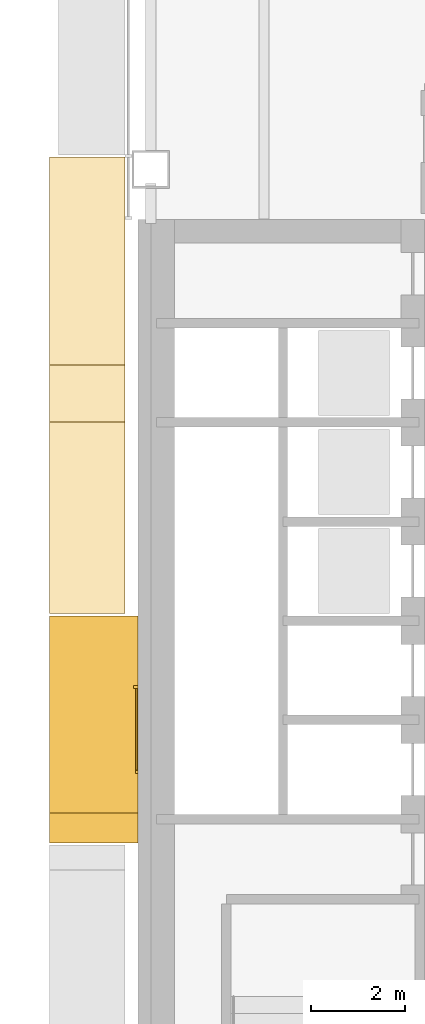
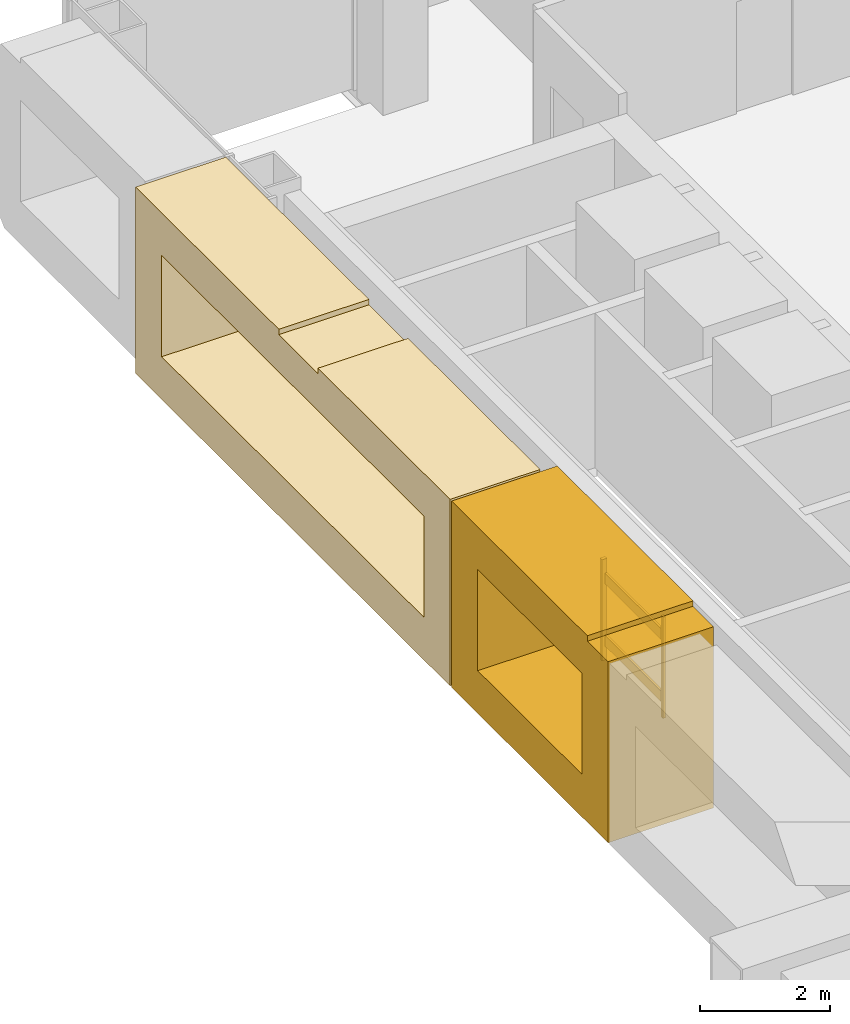
# One storey, part 17 of 21: 6 coverings.
"""IFC4 building model written with IfcOpenShell, lengths in metres."""

from ifc_helpers import new_model, si_unit, direction, frame, origin, origin_2d, place, context, subcontext, project, spatial, polyline, rectangle, outline, extrude, material, type_object, element, save


model = new_model("IFC4")

# Units and contexts
model_context = context("Model", 3, precision=1e-05, world=origin(), true_north=direction((0.0, 1.0)))
body_context = subcontext(model_context, "Body", "Model", "MODEL_VIEW")
ifc_project = project(units=[si_unit("LENGTHUNIT", "METRE"), si_unit("AREAUNIT", "SQUARE_METRE"), si_unit("VOLUMEUNIT", "CUBIC_METRE"), si_unit("PLANEANGLEUNIT", "RADIAN"), si_unit("MASSUNIT", "GRAM", prefix="KILO")], contexts=[model_context])

# Site, building, storey
site_placement = place(None, origin())
site = spatial("IfcSite", under=ifc_project, at=site_placement, CompositionType="ELEMENT")
building_placement = place(site_placement, origin())
building = spatial("IfcBuilding", under=site, at=building_placement, Name="Cobrizo Arcos Hotel Tower", CompositionType="ELEMENT")
storey_placement = place(building_placement, frame((0.0, 0.0, 183.0)))
storey = spatial("IfcBuildingStorey", under=building, at=storey_placement, Name="L47", CompositionType="ELEMENT", Elevation=183.0)

# Coverings
ifc_material_1 = material(Name="Aluminium 6063-T6 anodised bronze", Category="aluminium")
covering_type_1 = type_object("IfcCoveringType", Name="FIN-F 1600", PredefinedType="CLADDING", material=ifc_material_1)
covering_1_placement = place(storey_placement, frame((-22.14990234375, 12.117919921875, 0.0), z_axis=(-1.0, 0.0, 0.0), x_axis=(0.0, -1.0, 0.0)))
element("IfcCovering", 1, at=covering_1_placement, inside=storey, type_object=covering_type_1, Name="Fin frame 287", PredefinedType="CLADDING", context=body_context, shape_type="SweptSolid", body=[
    extrude(outline(polyline([(9.664306640625, 3.5), (5.605712890625, 3.5), (5.605712890625, 3.39794921875), (4.401611328125, 3.39794921875), (4.401611328125, 3.5), (0.0, 3.5), (0.0, 0.0), (9.664306640625, 0.0), (9.664306640625, 3.5)]), holes=[polyline([(8.8642578125, 0.800048828125), (0.800048828125, 0.800048828125), (0.800048828125, 2.699951171875), (8.8642578125, 2.699951171875), (8.8642578125, 0.800048828125)])]), origin(), (0.0, 0.0, 1.0), 1.60009765625),
])
covering_type_2 = type_object("IfcCoveringType", Name="FIN-F 1875", PredefinedType="CLADDING", material=ifc_material_1)
covering_2_placement = place(storey_placement, frame((-21.875, 2.403564453125, 0.0), z_axis=(-1.0, 0.0, 0.0), x_axis=(0.0, -1.0, 0.0)))
element("IfcCovering", 2, at=covering_2_placement, inside=storey, type_object=covering_type_2, Name="Fin frame 288", PredefinedType="CLADDING", context=body_context, shape_type="SweptSolid", body=[
    extrude(outline(polyline([(4.80712890625, 0.0), (4.80712890625, 3.39794921875), (4.173095703125, 3.39794921875), (4.173095703125, 3.5), (0.0, 3.5), (0.0, 0.0), (4.80712890625, 0.0)]), holes=[polyline([(4.007080078125, 0.800048828125), (0.800048828125, 0.800048828125), (0.800048828125, 2.699951171875), (4.007080078125, 2.699951171875), (4.007080078125, 0.800048828125)])]), origin(), (0.0, 0.0, 1.0), 1.875),
])
ifc_material_2 = material(Name="Aluminium 6063-T6 anodised pale", Category="aluminium")
covering_type_3 = type_object("IfcCoveringType", Name="RS-1 rainscreen rib 60x90", PredefinedType="CLADDING", material=ifc_material_2)
covering_3_placement = place(storey_placement, frame((-21.919921875, 0.89990234375, 0.800048828125), z_axis=(0.0, 0.0, 1.0), x_axis=(0.0, -1.0, 0.0)))
element("IfcCovering", 3, at=covering_3_placement, inside=storey, type_object=covering_type_3, Name="Rainscreen rib 191", PredefinedType="CLADDING", context=body_context, shape_type="SweptSolid", body=[
    extrude(rectangle(XDim=0.06005859375, YDim=0.090087890625, at=origin_2d()), origin(), (0.0, 0.0, 1.0), 1.89990234375),
])
covering_type_4 = type_object("IfcCoveringType", Name="RS-2 rainscreen rib 60x50", PredefinedType="CLADDING", material=ifc_material_2)
covering_4_placement = place(storey_placement, frame((-21.89990234375, -0.89990234375, 0.800048828125), z_axis=(0.0, 0.0, 1.0), x_axis=(0.0, -1.0, 0.0)))
element("IfcCovering", 4, at=covering_4_placement, inside=storey, type_object=covering_type_4, Name="Rainscreen rib 192", PredefinedType="CLADDING", context=body_context, shape_type="SweptSolid", body=[
    extrude(rectangle(XDim=0.06005859375, YDim=0.050048828125, at=origin_2d()), origin(), (0.0, 0.0, 1.0), 1.89990234375),
])
covering_type_5 = type_object("IfcCoveringType", Name="RS-3 rainscreen louvre slat 200x40", PredefinedType="CLADDING", material=ifc_material_2)
for number, where, z_axis, x_axis, name in (
    (5, (-21.89501953125, 0.0, 1.06689453125), (0.0, 0.0, 1.0), (0.0, -1.0, 0.0), "Rainscreen slat 51"),
    (6, (-21.89501953125, 0.0, 2.2333984375), (0.0, 0.0, 1.0), (0.0, -1.0, 0.0), "Rainscreen slat 52"),
):
    element("IfcCovering", number, at=place(storey_placement, frame(where, z_axis=z_axis, x_axis=x_axis)), inside=storey, type_object=covering_type_5, Name=name, PredefinedType="CLADDING", context=body_context, shape_type="SweptSolid", body=[
        extrude(rectangle(XDim=1.739990234375, YDim=0.0400390625, at=origin_2d()), origin(), (0.0, 0.0, 1.0), 0.199951171875),
    ])

save(model, "model.ifc")
